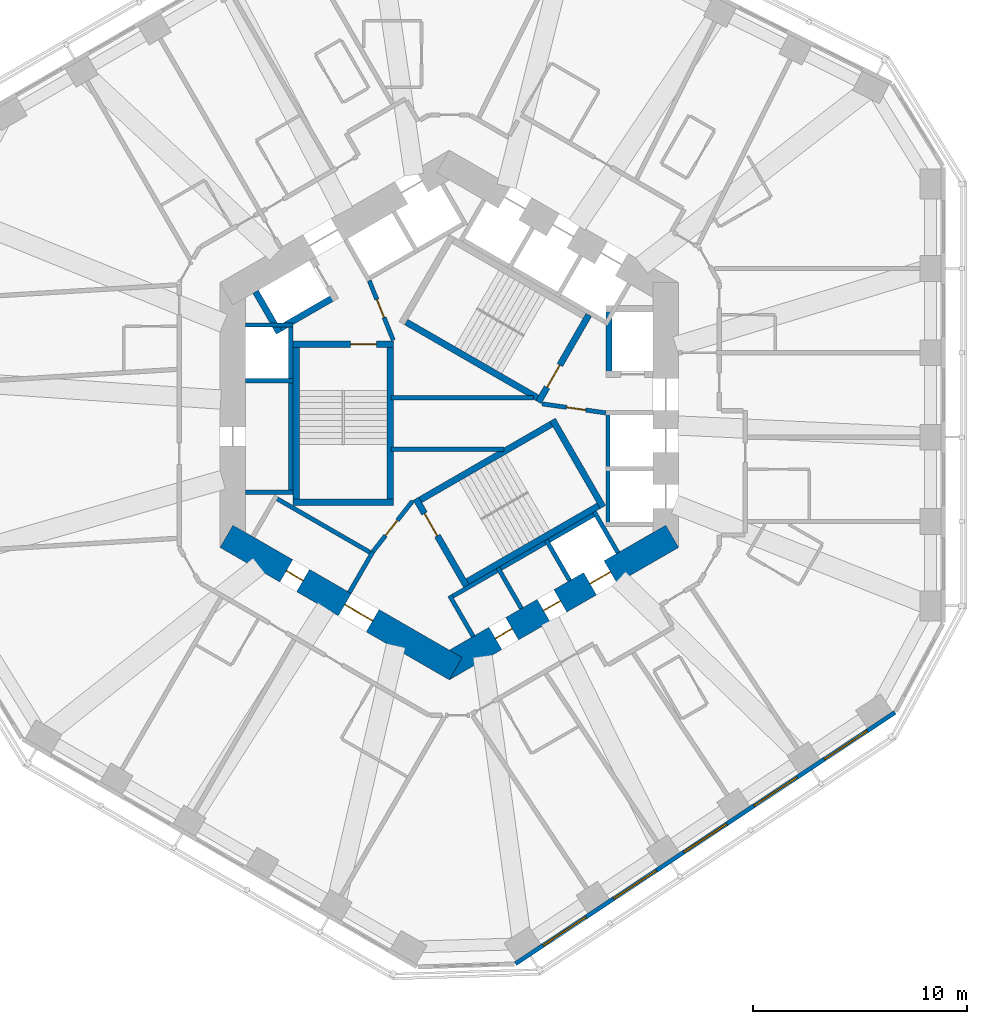
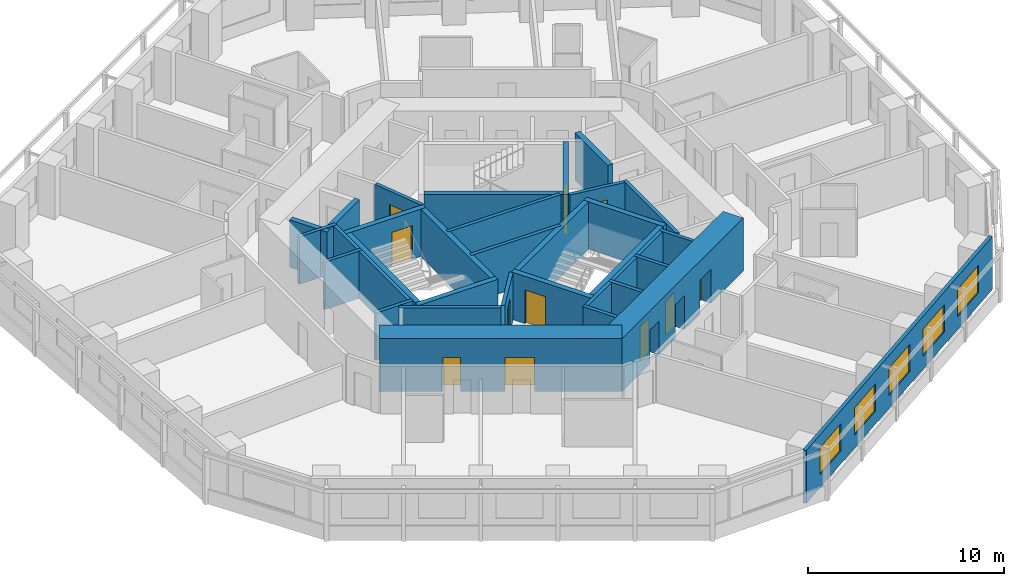
# One storey, part 5 of 12: 33 walls, 11 doors, 5 windows, 16 openings.
"""IFC4 building model written with IfcOpenShell, lengths in metres."""

from ifc_helpers import new_model, si_unit, direction, frame, frame_2d, origin, place, context, subcontext, project, spatial, rectangle, extrude, material, layer, layer_set, type_object, element, fill, save


model = new_model("IFC4")

# Units and contexts
model_context = context("Model", 3, precision=1e-05, world=origin(), true_north=direction((0.0, 1.0)))
body_context = subcontext(model_context, "Body", "Model", "MODEL_VIEW")
ifc_project = project(units=[si_unit("LENGTHUNIT", "METRE"), si_unit("AREAUNIT", "SQUARE_METRE"), si_unit("VOLUMEUNIT", "CUBIC_METRE"), si_unit("PLANEANGLEUNIT", "RADIAN"), si_unit("MASSUNIT", "GRAM", prefix="KILO")], contexts=[model_context])

# Site, building, storey
site_placement = place(None, origin())
site = spatial("IfcSite", under=ifc_project, at=site_placement, CompositionType="ELEMENT")
building_placement = place(site_placement, origin())
building = spatial("IfcBuilding", under=site, at=building_placement, Name="Vanh Sen Convention Tower", CompositionType="ELEMENT")
storey_placement = place(building_placement, frame((0.0, 0.0, 73.699951171875)))
storey = spatial("IfcBuildingStorey", under=building, at=storey_placement, Name="L16", CompositionType="ELEMENT", Elevation=73.699951171875)

# Wall, openings, doors
ifc_material_1 = material(Name="Concrete C80/95", Category="concrete")
ifc_layer_1 = layer(ifc_material_1, 1.199951171875)
ifc_layer_set_1 = layer_set([ifc_layer_1], Name="Concrete C80/95")
wall_type_1 = type_object("IfcWallType", Name="Core outer wall 1200 C80/95", PredefinedType="SHEAR", material=ifc_layer_set_1)
wall_1_placement = place(storey_placement, frame((-10.39990234375, -5.657958984375, 0.0), z_axis=(0.0, 0.0, 1.0), x_axis=(0.866021384402, -0.500006961711, 0.0)))
wall_1 = element("IfcWall", 1, at=wall_1_placement, inside=storey, type_object=wall_type_1, Name="Core wall face SW L16", PredefinedType="SHEAR", context=body_context, shape_type="SweptSolid", body=[
    extrude(rectangle(XDim=12.355224609375, YDim=1.199951171875, at=frame_2d((6.177734375, 0.0))), origin(), (0.0, 0.0, 1.0), 3.300048828125),
])
opening_1_placement = place(wall_1_placement, frame((6.377685546875, 0.0, 0.0)))
opening_1 = element("IfcOpeningElement", 2, at=opening_1_placement, cuts=wall_1, Name="Opening D16003", PredefinedType="OPENING", context=body_context, shape_type="SweptSolid", body=[
    extrude(rectangle(XDim=1.5, YDim=2.10009765625, at=frame_2d((0.75, 1.050048828125))), frame((0.0, 0.60986328125, 0.0), z_axis=(0.0, -1.0, 0.0), x_axis=(1.0, 0.0, 0.0)), (0.0, 0.0, 1.0), 1.219970703125),
])
opening_2_placement = place(wall_1_placement, frame((3.227783203125, 0.0, 0.0)))
opening_2 = element("IfcOpeningElement", 3, at=opening_2_placement, cuts=wall_1, Name="Opening D16011", PredefinedType="OPENING", context=body_context, shape_type="SweptSolid", body=[
    extrude(rectangle(XDim=0.89990234375, YDim=2.10009765625, at=frame_2d((0.449951171875, 1.050048828125))), frame((0.0, 0.60986328125, 0.0), z_axis=(0.0, -1.0, 0.0), x_axis=(1.0, 0.0, 0.0)), (0.0, 0.0, 1.0), 1.219970703125),
])
ifc_material_2 = material(Name="Steel S355", Category="steel")
door_type_1 = type_object("IfcDoorType", Name="Plant door 900", OperationType="SINGLE_SWING_LEFT", PredefinedType="DOOR", material=ifc_material_2)
door_1_placement = place(opening_2_placement, origin())
door_1 = element("IfcDoor", 4, at=door_1_placement, inside=storey, type_object=door_type_1, Name="Plant door D16011", OperationType="SINGLE_SWING_LEFT", OverallHeight=2.10009765625, OverallWidth=0.89990234375, PredefinedType="DOOR", context=body_context, shape_type="SweptSolid", body=[
    extrude(rectangle(XDim=0.89990234375, YDim=2.10009765625, at=frame_2d((0.449951171875, 1.050048828125))), frame((0.0, 0.02490234375, 0.0), z_axis=(0.0, -1.0, 0.0), x_axis=(1.0, 0.0, 0.0)), (0.0, 0.0, 1.0), 0.050048828125),
])
fill(opening_2, door_1)
door_type_2 = type_object("IfcDoorType", Name="Stair lobby door 1500", OperationType="DOUBLE_DOOR_SINGLE_SWING", PredefinedType="DOOR", material=ifc_material_2)
door_2_placement = place(opening_1_placement, origin())
door_2 = element("IfcDoor", 5, at=door_2_placement, inside=storey, type_object=door_type_2, Name="Stair lobby door D16003", OperationType="DOUBLE_DOOR_SINGLE_SWING", OverallHeight=2.10009765625, OverallWidth=1.5, PredefinedType="DOOR", context=body_context, shape_type="SweptSolid", body=[
    extrude(rectangle(XDim=1.5, YDim=2.10009765625, at=frame_2d((0.75, 1.050048828125))), frame((0.0, 0.02490234375, 0.0), z_axis=(0.0, -1.0, 0.0), x_axis=(1.0, 0.0, 0.0)), (0.0, 0.0, 1.0), 0.050048828125),
])
fill(opening_1, door_2)

wall_2_placement = place(storey_placement, frame((-0.300048828125, -11.835693359375, 0.0), z_axis=(0.0, 0.0, 1.0), x_axis=(0.866021384402, 0.500006961711, 0.0)))
wall_2 = element("IfcWall", 6, at=wall_2_placement, inside=storey, type_object=wall_type_1, Name="Core wall face SE L16", PredefinedType="SHEAR", context=body_context, shape_type="SweptSolid", body=[
    extrude(rectangle(XDim=12.355224609375, YDim=1.199951171875, at=frame_2d((6.177734375, 0.0))), origin(), (0.0, 0.0, 1.0), 3.300048828125),
])
opening_3_placement = place(wall_2_placement, frame((2.82763671875, 0.0, 0.0)))
opening_3 = element("IfcOpeningElement", 7, at=opening_3_placement, cuts=wall_2, Name="Opening D16012", PredefinedType="OPENING", context=body_context, shape_type="SweptSolid", body=[
    extrude(rectangle(XDim=0.89990234375, YDim=2.10009765625, at=frame_2d((0.449951171875, 1.050048828125))), frame((0.0, 0.60986328125, 0.0), z_axis=(0.0, -1.0, 0.0), x_axis=(1.0, 0.0, 0.0)), (0.0, 0.0, 1.0), 1.219970703125),
])
opening_4_placement = place(wall_2_placement, frame((5.427734375, 0.0, 0.0)))
opening_4 = element("IfcOpeningElement", 8, at=opening_4_placement, cuts=wall_2, Name="Opening D16013", PredefinedType="OPENING", context=body_context, shape_type="SweptSolid", body=[
    extrude(rectangle(XDim=0.89990234375, YDim=2.10009765625, at=frame_2d((0.449951171875, 1.050048828125))), frame((0.0, 0.60986328125, 0.0), z_axis=(0.0, -1.0, 0.0), x_axis=(1.0, 0.0, 0.0)), (0.0, 0.0, 1.0), 1.219970703125),
])
opening_5_placement = place(wall_2_placement, frame((7.927734375, 0.0, 0.0)))
opening_5 = element("IfcOpeningElement", 9, at=opening_5_placement, cuts=wall_2, Name="Opening LD-SV1", PredefinedType="OPENING", context=body_context, shape_type="SweptSolid", body=[
    extrude(rectangle(XDim=1.10009765625, YDim=2.10009765625, at=frame_2d((0.550048828125, 1.050048828125))), frame((0.0, 0.60986328125, 0.0), z_axis=(0.0, -1.0, 0.0), x_axis=(1.0, 0.0, 0.0)), (0.0, 0.0, 1.0), 1.219970703125),
])
ifc_material_3 = material(Name="Stainless steel", Category="steel")
door_type_3 = type_object("IfcDoorType", Name="Lift landing door 1100", OperationType="DOUBLE_DOOR_SLIDING", PredefinedType="DOOR", material=ifc_material_3)
door_3_placement = place(opening_5_placement, origin())
door_3 = element("IfcDoor", 10, at=door_3_placement, inside=storey, type_object=door_type_3, Name="Lift SV1 landing door LD-SV1", OperationType="DOUBLE_DOOR_SLIDING", OverallHeight=2.10009765625, OverallWidth=1.10009765625, PredefinedType="DOOR", context=body_context, shape_type="SweptSolid", body=[
    extrude(rectangle(XDim=1.10009765625, YDim=2.10009765625, at=frame_2d((0.550048828125, 1.050048828125))), frame((0.0, 0.02490234375, 0.0), z_axis=(0.0, -1.0, 0.0), x_axis=(1.0, 0.0, 0.0)), (0.0, 0.0, 1.0), 0.050048828125),
])
fill(opening_5, door_3)
door_4_placement = place(opening_3_placement, origin())
door_4 = element("IfcDoor", 11, at=door_4_placement, inside=storey, type_object=door_type_1, Name="Plant door D16012", OperationType="SINGLE_SWING_LEFT", OverallHeight=2.10009765625, OverallWidth=0.89990234375, PredefinedType="DOOR", context=body_context, shape_type="SweptSolid", body=[
    extrude(rectangle(XDim=0.89990234375, YDim=2.10009765625, at=frame_2d((0.449951171875, 1.050048828125))), frame((0.0, 0.02490234375, 0.0), z_axis=(0.0, -1.0, 0.0), x_axis=(1.0, 0.0, 0.0)), (0.0, 0.0, 1.0), 0.050048828125),
])
fill(opening_3, door_4)
door_5_placement = place(opening_4_placement, origin())
door_5 = element("IfcDoor", 12, at=door_5_placement, inside=storey, type_object=door_type_1, Name="Plant door D16013", OperationType="SINGLE_SWING_LEFT", OverallHeight=2.10009765625, OverallWidth=0.89990234375, PredefinedType="DOOR", context=body_context, shape_type="SweptSolid", body=[
    extrude(rectangle(XDim=0.89990234375, YDim=2.10009765625, at=frame_2d((0.449951171875, 1.050048828125))), frame((0.0, 0.02490234375, 0.0), z_axis=(0.0, -1.0, 0.0), x_axis=(1.0, 0.0, 0.0)), (0.0, 0.0, 1.0), 0.050048828125),
])
fill(opening_4, door_5)

# Walls
ifc_material_4 = material(Name="Masonry blockwork", Category="masonry")
ifc_layer_2 = layer(ifc_material_4, 0.199951171875)
ifc_layer_set_2 = layer_set([ifc_layer_2], Name="Masonry blockwork")
wall_type_2 = type_object("IfcWallType", Name="Core partition 200", PredefinedType="PARTITIONING", material=ifc_layer_set_2)
wall_3_placement = place(storey_placement, frame((-2.719970703125, -1.60009765625, 0.0), z_axis=(0.0, 0.0, 1.0), x_axis=(1.0, 0.0, 0.0)))
element("IfcWall", 13, at=wall_3_placement, inside=storey, type_object=wall_type_2, Name="Core partition L16", PredefinedType="PARTITIONING", context=body_context, shape_type="SweptSolid", body=[
    extrude(rectangle(XDim=5.2685546875, YDim=0.199951171875, at=frame_2d((2.63427734375, 0.0))), origin(), (0.0, 0.0, 1.0), 2.949951171875),
])
wall_4_placement = place(storey_placement, frame((-2.719970703125, 0.800048828125, 0.0), z_axis=(0.0, 0.0, 1.0), x_axis=(1.0, 0.0, 0.0)))
element("IfcWall", 14, at=wall_4_placement, inside=storey, type_object=wall_type_2, Name="Core partition L16", PredefinedType="PARTITIONING", context=body_context, shape_type="SweptSolid", body=[
    extrude(rectangle(XDim=6.654296875, YDim=0.199951171875, at=frame_2d((3.3271484375, 0.0))), origin(), (0.0, 0.0, 1.0), 2.949951171875),
])

# Wall, openings, windows
ifc_material_5 = material(Name="Insulated lightweight infill wall")
ifc_layer_3 = layer(ifc_material_5, 0.199951171875)
ifc_layer_set_3 = layer_set([ifc_layer_3], Name="Insulated lightweight infill wall")
wall_type_3 = type_object("IfcWallType", Name="External wall 200", PredefinedType="STANDARD", material=ifc_layer_set_3)
wall_5_placement = place(storey_placement, frame((3.0830078125, -25.60107421875, 0.0), z_axis=(0.0, 0.0, 1.0), x_axis=(0.833884295743, 0.551939291329, 0.0)))
wall_5 = element("IfcWall", 15, at=wall_5_placement, inside=storey, type_object=wall_type_3, Name="External wall SE L16", PredefinedType="STANDARD", context=body_context, shape_type="SweptSolid", body=[
    extrude(rectangle(XDim=21.24609375, YDim=0.199951171875, at=frame_2d((10.623046875, 0.0))), origin(), (0.0, 0.0, 1.0), 3.300048828125),
])
opening_6_placement = place(wall_5_placement, frame((1.552978515625, 0.0, 0.800048828125)))
opening_6 = element("IfcOpeningElement", 16, at=opening_6_placement, cuts=wall_5, Name="Opening WH1-SE1", PredefinedType="OPENING", context=body_context, shape_type="SweptSolid", body=[
    extrude(rectangle(XDim=2.39990234375, YDim=1.699951171875, at=frame_2d((1.199951171875, 0.85009765625))), frame((0.0, 0.10986328125, 0.0), z_axis=(0.0, -1.0, 0.0), x_axis=(1.0, 0.0, 0.0)), (0.0, 0.0, 1.0), 0.219970703125),
])
opening_7_placement = place(wall_5_placement, frame((5.487548828125, 0.0, 0.800048828125)))
opening_7 = element("IfcOpeningElement", 17, at=opening_7_placement, cuts=wall_5, Name="Opening WH1-SE2", PredefinedType="OPENING", context=body_context, shape_type="SweptSolid", body=[
    extrude(rectangle(XDim=2.39990234375, YDim=1.699951171875, at=frame_2d((1.199951171875, 0.85009765625))), frame((0.0, 0.10986328125, 0.0), z_axis=(0.0, -1.0, 0.0), x_axis=(1.0, 0.0, 0.0)), (0.0, 0.0, 1.0), 0.219970703125),
])
opening_8_placement = place(wall_5_placement, frame((9.422119140625, 0.0, 0.800048828125)))
opening_8 = element("IfcOpeningElement", 18, at=opening_8_placement, cuts=wall_5, Name="Opening WH1-SE3", PredefinedType="OPENING", context=body_context, shape_type="SweptSolid", body=[
    extrude(rectangle(XDim=2.39990234375, YDim=1.699951171875, at=frame_2d((1.199951171875, 0.85009765625))), frame((0.0, 0.10986328125, 0.0), z_axis=(0.0, -1.0, 0.0), x_axis=(1.0, 0.0, 0.0)), (0.0, 0.0, 1.0), 0.219970703125),
])
opening_9_placement = place(wall_5_placement, frame((13.356689453125, 0.0, 0.800048828125)))
opening_9 = element("IfcOpeningElement", 19, at=opening_9_placement, cuts=wall_5, Name="Opening WH1-SE4", PredefinedType="OPENING", context=body_context, shape_type="SweptSolid", body=[
    extrude(rectangle(XDim=2.39990234375, YDim=1.699951171875, at=frame_2d((1.199951171875, 0.85009765625))), frame((0.0, 0.10986328125, 0.0), z_axis=(0.0, -1.0, 0.0), x_axis=(1.0, 0.0, 0.0)), (0.0, 0.0, 1.0), 0.219970703125),
])
opening_10_placement = place(wall_5_placement, frame((17.291259765625, 0.0, 0.800048828125)))
opening_10 = element("IfcOpeningElement", 20, at=opening_10_placement, cuts=wall_5, Name="Opening WH1-SE5", PredefinedType="OPENING", context=body_context, shape_type="SweptSolid", body=[
    extrude(rectangle(XDim=2.39990234375, YDim=1.699951171875, at=frame_2d((1.199951171875, 0.85009765625))), frame((0.0, 0.10986328125, 0.0), z_axis=(0.0, -1.0, 0.0), x_axis=(1.0, 0.0, 0.0)), (0.0, 0.0, 1.0), 0.219970703125),
])
ifc_material_6 = material(Name="Aluminium frame with clear low-emissivity glass", Category="aluminium")
window_type = type_object("IfcWindowType", Name="Hotel window 2400 x 1700", PartitioningType="SINGLE_PANEL", PredefinedType="WINDOW", material=ifc_material_6)
window_1_placement = place(opening_6_placement, origin())
window_1 = element("IfcWindow", 21, at=window_1_placement, inside=storey, type_object=window_type, Name="Window WH1-SE1", OverallHeight=1.699951171875, OverallWidth=2.39990234375, PartitioningType="SINGLE_PANEL", PredefinedType="WINDOW", context=body_context, shape_type="SweptSolid", body=[
    extrude(rectangle(XDim=2.39990234375, YDim=1.699951171875, at=frame_2d((1.199951171875, 0.85009765625))), frame((0.0, 0.030029296875, 0.0), z_axis=(0.0, -1.0, 0.0), x_axis=(1.0, 0.0, 0.0)), (0.0, 0.0, 1.0), 0.06005859375),
])
fill(opening_6, window_1)
window_2_placement = place(opening_7_placement, origin())
window_2 = element("IfcWindow", 22, at=window_2_placement, inside=storey, type_object=window_type, Name="Window WH1-SE2", OverallHeight=1.699951171875, OverallWidth=2.39990234375, PartitioningType="SINGLE_PANEL", PredefinedType="WINDOW", context=body_context, shape_type="SweptSolid", body=[
    extrude(rectangle(XDim=2.39990234375, YDim=1.699951171875, at=frame_2d((1.199951171875, 0.85009765625))), frame((0.0, 0.030029296875, 0.0), z_axis=(0.0, -1.0, 0.0), x_axis=(1.0, 0.0, 0.0)), (0.0, 0.0, 1.0), 0.06005859375),
])
fill(opening_7, window_2)
window_3_placement = place(opening_8_placement, origin())
window_3 = element("IfcWindow", 23, at=window_3_placement, inside=storey, type_object=window_type, Name="Window WH1-SE3", OverallHeight=1.699951171875, OverallWidth=2.39990234375, PartitioningType="SINGLE_PANEL", PredefinedType="WINDOW", context=body_context, shape_type="SweptSolid", body=[
    extrude(rectangle(XDim=2.39990234375, YDim=1.699951171875, at=frame_2d((1.199951171875, 0.85009765625))), frame((0.0, 0.030029296875, 0.0), z_axis=(0.0, -1.0, 0.0), x_axis=(1.0, 0.0, 0.0)), (0.0, 0.0, 1.0), 0.06005859375),
])
fill(opening_8, window_3)
window_4_placement = place(opening_9_placement, origin())
window_4 = element("IfcWindow", 24, at=window_4_placement, inside=storey, type_object=window_type, Name="Window WH1-SE4", OverallHeight=1.699951171875, OverallWidth=2.39990234375, PartitioningType="SINGLE_PANEL", PredefinedType="WINDOW", context=body_context, shape_type="SweptSolid", body=[
    extrude(rectangle(XDim=2.39990234375, YDim=1.699951171875, at=frame_2d((1.199951171875, 0.85009765625))), frame((0.0, 0.030029296875, 0.0), z_axis=(0.0, -1.0, 0.0), x_axis=(1.0, 0.0, 0.0)), (0.0, 0.0, 1.0), 0.06005859375),
])
fill(opening_9, window_4)
window_5_placement = place(opening_10_placement, origin())
window_5 = element("IfcWindow", 25, at=window_5_placement, inside=storey, type_object=window_type, Name="Window WH1-SE5", OverallHeight=1.699951171875, OverallWidth=2.39990234375, PartitioningType="SINGLE_PANEL", PredefinedType="WINDOW", context=body_context, shape_type="SweptSolid", body=[
    extrude(rectangle(XDim=2.39990234375, YDim=1.699951171875, at=frame_2d((1.199951171875, 0.85009765625))), frame((0.0, 0.030029296875, 0.0), z_axis=(0.0, -1.0, 0.0), x_axis=(1.0, 0.0, 0.0)), (0.0, 0.0, 1.0), 0.06005859375),
])
fill(opening_10, window_5)

# Walls
ifc_material_7 = material(Name="Concrete C60/75", Category="concrete")
ifc_layer_4 = layer(ifc_material_7, 0.300048828125)
ifc_layer_set_4 = layer_set([ifc_layer_4], Name="Concrete C60/75")
wall_type_4 = type_object("IfcWallType", Name="Fire-fighting lift shaft wall 300", PredefinedType="SHEAR", material=ifc_layer_set_4)
wall_6_placement = place(storey_placement, frame((7.449951171875, 1.75, 0.0), z_axis=(0.0, 0.0, 1.0), x_axis=(0.0, 1.0, 0.0)))
element("IfcWall", 26, at=wall_6_placement, inside=storey, type_object=wall_type_4, Name="Fire-fighting lift shaft wall L16", PredefinedType="SHEAR", context=body_context, shape_type="SweptSolid", body=[
    extrude(rectangle(XDim=3.35009765625, YDim=0.300048828125, at=frame_2d((1.675048828125, 0.0))), origin(), (0.0, 0.0, 1.0), 2.949951171875),
])
wall_7_placement = place(storey_placement, frame((-5.240478515625, 5.576904296875, 0.0), z_axis=(0.0, 0.0, 1.0), x_axis=(-0.866014461049, -0.500018952895, 0.0)))
element("IfcWall", 27, at=wall_7_placement, inside=storey, type_object=wall_type_4, Name="Fire-fighting lift shaft wall L16", PredefinedType="SHEAR", context=body_context, shape_type="SweptSolid", body=[
    extrude(rectangle(XDim=3.349853515625, YDim=0.300048828125, at=frame_2d((1.6748046875, 0.0))), origin(), (0.0, 0.0, 1.0), 2.949951171875),
])
wall_8_placement = place(storey_placement, frame((-7.936767578125, 3.846923828125, 0.0), z_axis=(0.0, 0.0, 1.0), x_axis=(-0.50002983664, 0.866008176907, 0.0)))
element("IfcWall", 28, at=wall_8_placement, inside=storey, type_object=wall_type_4, Name="Fire-fighting lift shaft wall L16", PredefinedType="SHEAR", context=body_context, shape_type="SweptSolid", body=[
    extrude(rectangle(XDim=2.199951171875, YDim=0.300048828125, at=frame_2d((1.10009765625, 0.0))), origin(), (0.0, 0.0, 1.0), 2.949951171875),
])
ifc_material_8 = material(Name="Concrete C40/50", Category="concrete")
ifc_layer_5 = layer(ifc_material_8, 0.199951171875)
ifc_layer_set_5 = layer_set([ifc_layer_5], Name="Concrete C40/50")
wall_type_5 = type_object("IfcWallType", Name="Lift shaft wall 200", PredefinedType="PARTITIONING", material=ifc_layer_set_5)
wall_9_placement = place(storey_placement, frame((7.39990234375, -5.199951171875, 0.0), z_axis=(0.0, 0.0, 1.0), x_axis=(0.0, 1.0, 0.0)))
element("IfcWall", 29, at=wall_9_placement, inside=storey, type_object=wall_type_5, Name="Lift shaft wall L16", PredefinedType="PARTITIONING", context=body_context, shape_type="SweptSolid", body=[
    extrude(rectangle(XDim=5.39990234375, YDim=0.199951171875, at=frame_2d((2.699951171875, 0.0))), origin(), (0.0, 0.0, 1.0), 2.949951171875),
])
wall_10_placement = place(storey_placement, frame((-7.39990234375, 4.300048828125, 0.0), z_axis=(0.0, 0.0, 1.0), x_axis=(0.0, -1.0, 0.0)))
element("IfcWall", 30, at=wall_10_placement, inside=storey, type_object=wall_type_5, Name="Lift shaft wall L16", PredefinedType="PARTITIONING", context=body_context, shape_type="SweptSolid", body=[
    extrude(rectangle(XDim=8.0, YDim=0.199951171875, at=frame_2d((4.0, 0.0))), origin(), (0.0, 0.0, 1.0), 2.949951171875),
])
for number, where, z_axis, x_axis, name in (
    (31, (-7.300048828125, 4.199951171875, 0.0), (0.0, 0.0, 1.0), (-1.0, 0.0, 0.0), "Lift shaft wall L16"),
    (32, (-7.300048828125, 1.60009765625, 0.0), (0.0, 0.0, 1.0), (-1.0, 0.0, 0.0), "Lift shaft wall L16"),
    (33, (-7.300048828125, -3.60009765625, 0.0), (0.0, 0.0, 1.0), (-1.0, 0.0, 0.0), "Lift shaft wall L16"),
):
    element("IfcWall", number, at=place(storey_placement, frame(where, z_axis=z_axis, x_axis=x_axis)), inside=storey, type_object=wall_type_5, Name=name, PredefinedType="PARTITIONING", context=body_context, shape_type="SweptSolid", body=[
        extrude(rectangle(XDim=2.199951171875, YDim=0.199951171875, at=frame_2d((1.10009765625, 0.0))), origin(), (0.0, 0.0, 1.0), 2.949951171875),
    ])
wall_11_placement = place(storey_placement, frame((-8.203369140625, -3.80859375, 0.0), z_axis=(0.0, 0.0, 1.0), x_axis=(0.866028230842, -0.499995103361, 0.0)))
element("IfcWall", 34, at=wall_11_placement, inside=storey, type_object=wall_type_5, Name="Lift shaft wall L16", PredefinedType="PARTITIONING", context=body_context, shape_type="SweptSolid", body=[
    extrude(rectangle(XDim=5.39990234375, YDim=0.199951171875, at=frame_2d((2.699951171875, 0.0))), origin(), (0.0, 0.0, 1.0), 2.949951171875),
])
wall_12_placement = place(storey_placement, frame((-3.5634765625, -6.3720703125, 0.0), z_axis=(0.0, 0.0, 1.0), x_axis=(-0.499994660107, -0.866028486751, 0.0)))
element("IfcWall", 35, at=wall_12_placement, inside=storey, type_object=wall_type_5, Name="Lift shaft wall L16", PredefinedType="PARTITIONING", context=body_context, shape_type="SweptSolid", body=[
    extrude(rectangle(XDim=2.19970703125, YDim=0.199951171875, at=frame_2d((1.099853515625, 0.0))), origin(), (0.0, 0.0, 1.0), 2.949951171875),
])
wall_13_placement = place(storey_placement, frame((-0.02392578125, -8.55859375, 0.0), z_axis=(0.0, 0.0, 1.0), x_axis=(0.866026010844, 0.49999894854, 0.0)))
element("IfcWall", 36, at=wall_13_placement, inside=storey, type_object=wall_type_5, Name="Lift shaft wall L16", PredefinedType="PARTITIONING", context=body_context, shape_type="SweptSolid", body=[
    extrude(rectangle(XDim=8.0, YDim=0.199951171875, at=frame_2d((4.0, 0.0))), origin(), (0.0, 0.0, 1.0), 2.949951171875),
])
for number, where, z_axis, x_axis, name in (
    (37, (0.0126953125, -8.422119140625, 0.0), (0.0, 0.0, 1.0), (0.500077893725, -0.86598042715, 0.0), "Lift shaft wall L16"),
    (38, (2.264404296875, -7.1220703125, 0.0), (0.0, 0.0, 1.0), (0.500077893725, -0.86598042715, 0.0), "Lift shaft wall L16"),
    (39, (4.51611328125, -5.822021484375, 0.0), (0.0, 0.0, 1.0), (0.499946605688, -0.86605622881, 0.0), "Lift shaft wall L16"),
    (40, (6.767578125, -4.52197265625, 0.0), (0.0, 0.0, 1.0), (0.50002983664, -0.866008176907, 0.0), "Lift shaft wall L16"),
):
    element("IfcWall", number, at=place(storey_placement, frame(where, z_axis=z_axis, x_axis=x_axis)), inside=storey, type_object=wall_type_5, Name=name, PredefinedType="PARTITIONING", context=body_context, shape_type="SweptSolid", body=[
        extrude(rectangle(XDim=2.199951171875, YDim=0.199951171875, at=frame_2d((1.10009765625, 0.0))), origin(), (0.0, 0.0, 1.0), 2.949951171875),
    ])

# Wall, opening, door
ifc_layer_6 = layer(ifc_material_8, 0.199951171875)
ifc_layer_set_6 = layer_set([ifc_layer_6], Name="Concrete C40/50")
wall_type_6 = type_object("IfcWallType", Name="Stair lobby wall 200", PredefinedType="PARTITIONING", material=ifc_layer_set_6)
wall_14_placement = place(storey_placement, frame((4.327392578125, 0.52099609375, 0.0), z_axis=(0.0, 0.0, 1.0), x_axis=(0.990124376366, -0.14019172346, 0.0)))
wall_14 = element("IfcWall", 41, at=wall_14_placement, inside=storey, type_object=wall_type_6, Name="Stair lobby wall L16", PredefinedType="PARTITIONING", context=body_context, shape_type="SweptSolid", body=[
    extrude(rectangle(XDim=3.002197265625, YDim=0.199951171875, at=frame_2d((1.5009765625, 0.0))), origin(), (0.0, 0.0, 1.0), 2.949951171875),
])
opening_11_placement = place(wall_14_placement, frame((1.14990234375, 0.0, 0.0)))
opening_11 = element("IfcOpeningElement", 42, at=opening_11_placement, cuts=wall_14, Name="Opening D16007", PredefinedType="OPENING", context=body_context, shape_type="SweptSolid", body=[
    extrude(rectangle(XDim=0.89990234375, YDim=2.10009765625, at=frame_2d((0.449951171875, 1.050048828125))), frame((0.0, 0.10986328125, 0.0), z_axis=(0.0, -1.0, 0.0), x_axis=(1.0, 0.0, 0.0)), (0.0, 0.0, 1.0), 0.219970703125),
])
door_6_placement = place(opening_11_placement, origin())
door_6 = element("IfcDoor", 43, at=door_6_placement, inside=storey, type_object=door_type_1, Name="Plant door D16007", OperationType="SINGLE_SWING_LEFT", OverallHeight=2.10009765625, OverallWidth=0.89990234375, PredefinedType="DOOR", context=body_context, shape_type="SweptSolid", body=[
    extrude(rectangle(XDim=0.89990234375, YDim=2.10009765625, at=frame_2d((0.449951171875, 1.050048828125))), frame((0.0, 0.02490234375, 0.0), z_axis=(0.0, -1.0, 0.0), x_axis=(1.0, 0.0, 0.0)), (0.0, 0.0, 1.0), 0.050048828125),
])
fill(opening_11, door_6)

wall_15_placement = place(storey_placement, frame((-2.614990234375, 3.487060546875, 0.0), z_axis=(0.0, 0.0, 1.0), x_axis=(-0.373576831041, 0.92759924068, 0.0)))
wall_15 = element("IfcWall", 44, at=wall_15_placement, inside=storey, type_object=wall_type_6, Name="Stair lobby wall L16", PredefinedType="PARTITIONING", context=body_context, shape_type="SweptSolid", body=[
    extrude(rectangle(XDim=3.002197265625, YDim=0.199951171875, at=frame_2d((1.5009765625, 0.0))), origin(), (0.0, 0.0, 1.0), 2.949951171875),
])
opening_12_placement = place(wall_15_placement, frame((1.14990234375, 0.0, 0.0)))
opening_12 = element("IfcOpeningElement", 45, at=opening_12_placement, cuts=wall_15, Name="Opening D16008", PredefinedType="OPENING", context=body_context, shape_type="SweptSolid", body=[
    extrude(rectangle(XDim=0.89990234375, YDim=2.10009765625, at=frame_2d((0.449951171875, 1.050048828125))), frame((0.0, 0.10986328125, 0.0), z_axis=(0.0, -1.0, 0.0), x_axis=(1.0, 0.0, 0.0)), (0.0, 0.0, 1.0), 0.219970703125),
])
door_7_placement = place(opening_12_placement, origin())
door_7 = element("IfcDoor", 46, at=door_7_placement, inside=storey, type_object=door_type_1, Name="Plant door D16008", OperationType="SINGLE_SWING_LEFT", OverallHeight=2.10009765625, OverallWidth=0.89990234375, PredefinedType="DOOR", context=body_context, shape_type="SweptSolid", body=[
    extrude(rectangle(XDim=0.89990234375, YDim=2.10009765625, at=frame_2d((0.449951171875, 1.050048828125))), frame((0.0, 0.02490234375, 0.0), z_axis=(0.0, -1.0, 0.0), x_axis=(1.0, 0.0, 0.0)), (0.0, 0.0, 1.0), 0.050048828125),
])
fill(opening_12, door_7)

wall_16_placement = place(storey_placement, frame((-1.71240234375, -4.00830078125, 0.0), z_axis=(0.0, 0.0, 1.0), x_axis=(-0.616549420702, -0.787316208287, 0.0)))
wall_16 = element("IfcWall", 47, at=wall_16_placement, inside=storey, type_object=wall_type_6, Name="Stair lobby wall L16", PredefinedType="PARTITIONING", context=body_context, shape_type="SweptSolid", body=[
    extrude(rectangle(XDim=3.002197265625, YDim=0.199951171875, at=frame_2d((1.5009765625, 0.0))), origin(), (0.0, 0.0, 1.0), 2.949951171875),
])
opening_13_placement = place(wall_16_placement, frame((1.14990234375, 0.0, 0.0)))
opening_13 = element("IfcOpeningElement", 48, at=opening_13_placement, cuts=wall_16, Name="Opening D16009", PredefinedType="OPENING", context=body_context, shape_type="SweptSolid", body=[
    extrude(rectangle(XDim=0.89990234375, YDim=2.10009765625, at=frame_2d((0.449951171875, 1.050048828125))), frame((0.0, 0.10986328125, 0.0), z_axis=(0.0, -1.0, 0.0), x_axis=(1.0, 0.0, 0.0)), (0.0, 0.0, 1.0), 0.219970703125),
])
door_8_placement = place(opening_13_placement, origin())
door_8 = element("IfcDoor", 49, at=door_8_placement, inside=storey, type_object=door_type_1, Name="Plant door D16009", OperationType="SINGLE_SWING_LEFT", OverallHeight=2.10009765625, OverallWidth=0.89990234375, PredefinedType="DOOR", context=body_context, shape_type="SweptSolid", body=[
    extrude(rectangle(XDim=0.89990234375, YDim=2.10009765625, at=frame_2d((0.449951171875, 1.050048828125))), frame((0.0, 0.02490234375, 0.0), z_axis=(0.0, -1.0, 0.0), x_axis=(1.0, 0.0, 0.0)), (0.0, 0.0, 1.0), 0.050048828125),
])
fill(opening_13, door_8)

ifc_layer_7 = layer(ifc_material_7, 0.300048828125)
ifc_layer_set_7 = layer_set([ifc_layer_7], Name="Concrete C60/75")
wall_type_7 = type_object("IfcWallType", Name="Stair wall 300", PredefinedType="SHEAR", material=ifc_layer_set_7)
wall_17_placement = place(storey_placement, frame((4.157958984375, 0.601806640625, 0.0), z_axis=(0.0, 0.0, 1.0), x_axis=(0.499977259774, 0.866038532462, 0.0)))
wall_17 = element("IfcWall", 50, at=wall_17_placement, inside=storey, type_object=wall_type_7, Name="Stair wall L16", PredefinedType="SHEAR", context=body_context, shape_type="SweptSolid", body=[
    extrude(rectangle(XDim=4.699951171875, YDim=0.300048828125, at=frame_2d((2.35009765625, 0.0))), origin(), (0.0, 0.0, 1.0), 2.949951171875),
])
opening_14_placement = place(wall_17_placement, frame((0.800048828125, 0.0, 0.0)))
opening_14 = element("IfcOpeningElement", 51, at=opening_14_placement, cuts=wall_17, Name="Opening D16004", PredefinedType="OPENING", context=body_context, shape_type="SweptSolid", body=[
    extrude(rectangle(XDim=1.199951171875, YDim=2.10009765625, at=frame_2d((0.60009765625, 1.050048828125))), frame((0.0, 0.159912109375, 0.0), z_axis=(0.0, -1.0, 0.0), x_axis=(1.0, 0.0, 0.0)), (0.0, 0.0, 1.0), 0.320068359375),
])
door_type_4 = type_object("IfcDoorType", Name="Stair door 1200", OperationType="SINGLE_SWING_RIGHT", PredefinedType="DOOR", material=ifc_material_2)
door_9_placement = place(opening_14_placement, origin())
door_9 = element("IfcDoor", 52, at=door_9_placement, inside=storey, type_object=door_type_4, Name="Stair ST1 door D16004", OperationType="SINGLE_SWING_RIGHT", OverallHeight=2.10009765625, OverallWidth=1.199951171875, PredefinedType="DOOR", context=body_context, shape_type="SweptSolid", body=[
    extrude(rectangle(XDim=1.199951171875, YDim=2.10009765625, at=frame_2d((0.60009765625, 1.050048828125))), frame((0.0, 0.02490234375, 0.0), z_axis=(0.0, -1.0, 0.0), x_axis=(1.0, 0.0, 0.0)), (0.0, 0.0, 1.0), 0.050048828125),
])
fill(opening_14, door_9)

# Wall
wall_18_placement = place(storey_placement, frame((4.10302734375, 0.806640625, 0.0), z_axis=(0.0, 0.0, 1.0), x_axis=(-0.866027801685, 0.499995846692, 0.0)))
element("IfcWall", 53, at=wall_18_placement, inside=storey, type_object=wall_type_7, Name="Stair wall L16", PredefinedType="SHEAR", context=body_context, shape_type="SweptSolid", body=[
    extrude(rectangle(XDim=7.06005859375, YDim=0.300048828125, at=frame_2d((3.530029296875, 0.0))), origin(), (0.0, 0.0, 1.0), 2.949951171875),
])

# Wall, opening, door
wall_19_placement = place(storey_placement, frame((-2.60009765625, 3.300048828125, 0.0), z_axis=(0.0, 0.0, 1.0), x_axis=(-1.0, 0.0, 0.0)))
wall_19 = element("IfcWall", 54, at=wall_19_placement, inside=storey, type_object=wall_type_7, Name="Stair wall L16", PredefinedType="SHEAR", context=body_context, shape_type="SweptSolid", body=[
    extrude(rectangle(XDim=4.699951171875, YDim=0.300048828125, at=frame_2d((2.35009765625, 0.0))), origin(), (0.0, 0.0, 1.0), 2.949951171875),
])
opening_15_placement = place(wall_19_placement, frame((0.800048828125, 0.0, 0.0)))
opening_15 = element("IfcOpeningElement", 55, at=opening_15_placement, cuts=wall_19, Name="Opening D16005", PredefinedType="OPENING", context=body_context, shape_type="SweptSolid", body=[
    extrude(rectangle(XDim=1.199951171875, YDim=2.10009765625, at=frame_2d((0.60009765625, 1.050048828125))), frame((0.0, 0.159912109375, 0.0), z_axis=(0.0, -1.0, 0.0), x_axis=(1.0, 0.0, 0.0)), (0.0, 0.0, 1.0), 0.320068359375),
])
door_10_placement = place(opening_15_placement, origin())
door_10 = element("IfcDoor", 56, at=door_10_placement, inside=storey, type_object=door_type_4, Name="Stair ST2 door D16005", OperationType="SINGLE_SWING_RIGHT", OverallHeight=2.10009765625, OverallWidth=1.199951171875, PredefinedType="DOOR", context=body_context, shape_type="SweptSolid", body=[
    extrude(rectangle(XDim=1.199951171875, YDim=2.10009765625, at=frame_2d((0.60009765625, 1.050048828125))), frame((0.0, 0.02490234375, 0.0), z_axis=(0.0, -1.0, 0.0), x_axis=(1.0, 0.0, 0.0)), (0.0, 0.0, 1.0), 0.050048828125),
])
fill(opening_15, door_10)

# Walls
wall_20_placement = place(storey_placement, frame((-2.60009765625, -4.06005859375, 0.0), z_axis=(0.0, 0.0, 1.0), x_axis=(-1.0, 0.0, 0.0)))
element("IfcWall", 57, at=wall_20_placement, inside=storey, type_object=wall_type_7, Name="Stair wall L16", PredefinedType="SHEAR", context=body_context, shape_type="SweptSolid", body=[
    extrude(rectangle(XDim=4.699951171875, YDim=0.300048828125, at=frame_2d((2.35009765625, 0.0))), origin(), (0.0, 0.0, 1.0), 2.949951171875),
])
for number, where, z_axis, x_axis, name in (
    (58, (-2.75, 3.14990234375, 0.0), (0.0, 0.0, 1.0), (0.0, -1.0, 0.0), "Stair wall L16"),
    (59, (-7.14990234375, 3.14990234375, 0.0), (0.0, 0.0, 1.0), (0.0, -1.0, 0.0), "Stair wall L16"),
):
    element("IfcWall", number, at=place(storey_placement, frame(where, z_axis=z_axis, x_axis=x_axis)), inside=storey, type_object=wall_type_7, Name=name, PredefinedType="SHEAR", context=body_context, shape_type="SweptSolid", body=[
        extrude(rectangle(XDim=7.059814453125, YDim=0.300048828125, at=frame_2d((3.52978515625, 0.0))), origin(), (0.0, 0.0, 1.0), 2.949951171875),
    ])

# Wall, opening, door
wall_21_placement = place(storey_placement, frame((-1.557861328125, -3.901611328125, 0.0), z_axis=(0.0, 0.0, 1.0), x_axis=(0.499977259774, -0.866038532462, 0.0)))
wall_21 = element("IfcWall", 60, at=wall_21_placement, inside=storey, type_object=wall_type_7, Name="Stair wall L16", PredefinedType="SHEAR", context=body_context, shape_type="SweptSolid", body=[
    extrude(rectangle(XDim=4.699951171875, YDim=0.300048828125, at=frame_2d((2.35009765625, 0.0))), origin(), (0.0, 0.0, 1.0), 2.949951171875),
])
opening_16_placement = place(wall_21_placement, frame((0.800048828125, 0.0, 0.0)))
opening_16 = element("IfcOpeningElement", 61, at=opening_16_placement, cuts=wall_21, Name="Opening D16006", PredefinedType="OPENING", context=body_context, shape_type="SweptSolid", body=[
    extrude(rectangle(XDim=1.199951171875, YDim=2.10009765625, at=frame_2d((0.60009765625, 1.050048828125))), frame((0.0, 0.159912109375, 0.0), z_axis=(0.0, -1.0, 0.0), x_axis=(1.0, 0.0, 0.0)), (0.0, 0.0, 1.0), 0.320068359375),
])
door_11_placement = place(opening_16_placement, origin())
door_11 = element("IfcDoor", 62, at=door_11_placement, inside=storey, type_object=door_type_4, Name="Stair ST3 door D16006", OperationType="SINGLE_SWING_RIGHT", OverallHeight=2.10009765625, OverallWidth=1.199951171875, PredefinedType="DOOR", context=body_context, shape_type="SweptSolid", body=[
    extrude(rectangle(XDim=1.199951171875, YDim=2.10009765625, at=frame_2d((0.60009765625, 1.050048828125))), frame((0.0, 0.02490234375, 0.0), z_axis=(0.0, -1.0, 0.0), x_axis=(1.0, 0.0, 0.0)), (0.0, 0.0, 1.0), 0.050048828125),
])
fill(opening_16, door_11)

# Walls
wall_22_placement = place(storey_placement, frame((4.816162109375, -0.2216796875, 0.0), z_axis=(0.0, 0.0, 1.0), x_axis=(0.499977259774, -0.866038532462, 0.0)))
element("IfcWall", 63, at=wall_22_placement, inside=storey, type_object=wall_type_7, Name="Stair wall L16", PredefinedType="SHEAR", context=body_context, shape_type="SweptSolid", body=[
    extrude(rectangle(XDim=4.699951171875, YDim=0.300048828125, at=frame_2d((2.35009765625, 0.0))), origin(), (0.0, 0.0, 1.0), 2.949951171875),
])
for number, where, z_axis, x_axis, name in (
    (64, (-1.35302734375, -3.95654296875, 0.0), (0.0, 0.0, 1.0), (0.866027801685, 0.499995846692, 0.0), "Stair wall L16"),
    (65, (0.846923828125, -7.76708984375, 0.0), (0.0, 0.0, 1.0), (0.866027801685, 0.499995846692, 0.0), "Stair wall L16"),
):
    element("IfcWall", number, at=place(storey_placement, frame(where, z_axis=z_axis, x_axis=x_axis)), inside=storey, type_object=wall_type_7, Name=name, PredefinedType="SHEAR", context=body_context, shape_type="SweptSolid", body=[
        extrude(rectangle(XDim=7.06005859375, YDim=0.300048828125, at=frame_2d((3.530029296875, 0.0))), origin(), (0.0, 0.0, 1.0), 2.949951171875),
    ])

save(model, "model.ifc")
